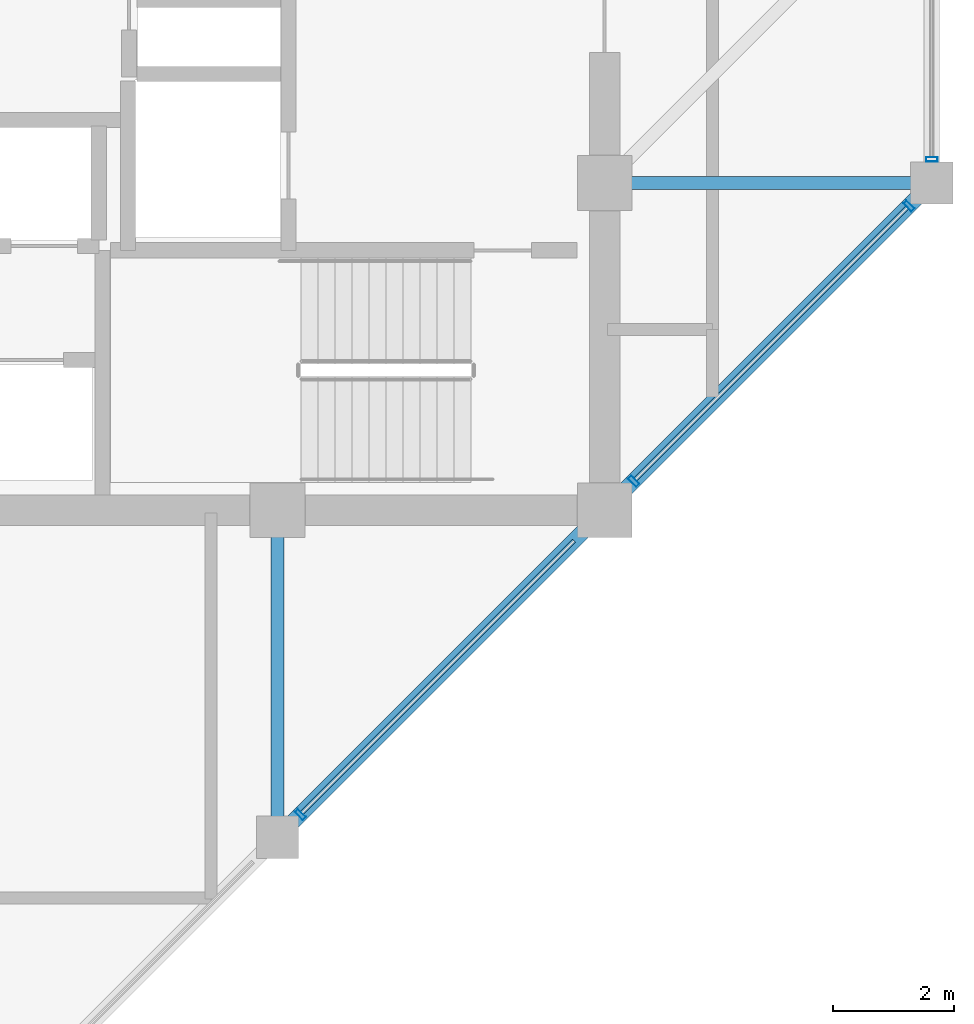
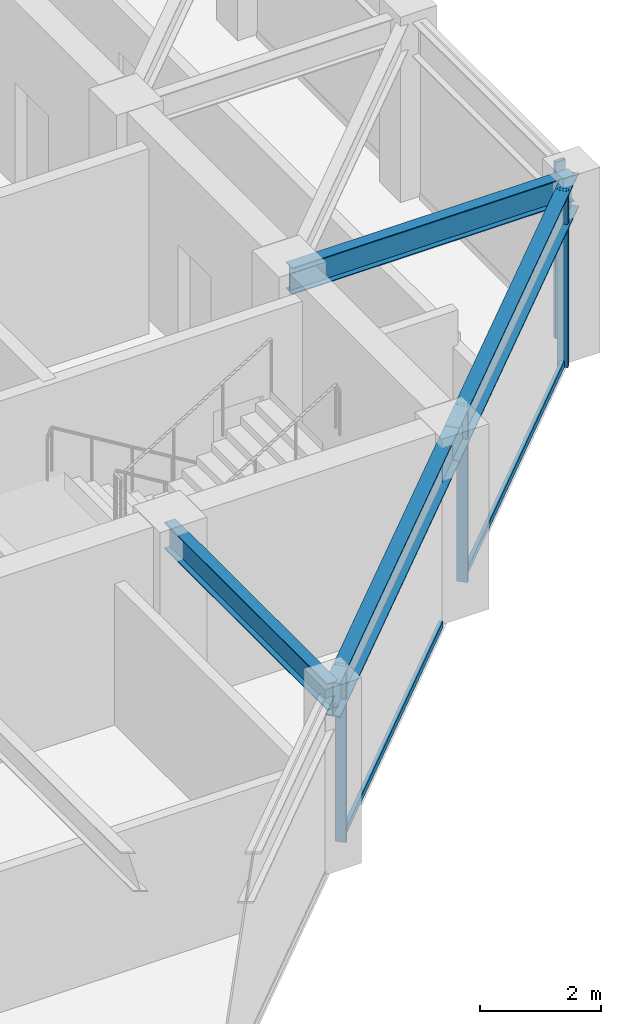
# One storey, part 12 of 30: 6 members, 4 beams, 2 elements without a shape of their own.
"""IFC4 building model written with IfcOpenShell, lengths in metres."""

from ifc_helpers import new_model, si_unit, direction, frame, origin, origin_2d, place, context, subcontext, project, spatial, hollow_rectangle, i_section, extrude, material, layer, layer_set, material_profile, profile_set, type_object, element, aggregate, save


model = new_model("IFC4")

# Units and contexts
model_context = context("Model", 3, precision=1e-05, world=origin(), true_north=direction((0.0, 1.0)))
body_context = subcontext(model_context, "Body", "Model", "MODEL_VIEW")
ifc_project = project(units=[si_unit("LENGTHUNIT", "METRE"), si_unit("AREAUNIT", "SQUARE_METRE"), si_unit("VOLUMEUNIT", "CUBIC_METRE"), si_unit("PLANEANGLEUNIT", "RADIAN"), si_unit("MASSUNIT", "GRAM", prefix="KILO")], contexts=[model_context])

# Site, building, storey
site_placement = place(None, origin())
site = spatial("IfcSite", under=ifc_project, at=site_placement, CompositionType="ELEMENT")
building_placement = place(site_placement, origin())
building = spatial("IfcBuilding", under=site, at=building_placement, Name="Surkhivell Harbour Commons", CompositionType="ELEMENT")
storey_placement = place(building_placement, frame((0.0, 0.0, 292.5)))
storey = spatial("IfcBuildingStorey", under=building, at=storey_placement, Name="L76", CompositionType="ELEMENT", Elevation=292.5)

# Beams
ifc_material_1 = material(Name="Steel S355", Category="steel")
ifc_material_profile_1 = material_profile(ifc_material_1, i_section(OverallWidth=0.2099609375, OverallDepth=0.537109375, WebThickness=0.0107421875, FlangeThickness=0.017333984375, at=origin_2d()), Name="UB533x210x101")
ifc_profile_set_1 = profile_set([ifc_material_profile_1], Name="Steel S355")
beam_type_1 = type_object("IfcBeamType", Name="BM-GRD-533B", PredefinedType="BEAM", material=ifc_profile_set_1)
for number, where, z_axis, x_axis, name in (
    (1, (5.39990234375, -16.199951171875, 3.301513671875), (0.0, 1.0, 0.0), (-1.0, 0.0, 0.0), "L76 Floor Girder (5.4,-16.2)"),
    (2, (10.800048828125, -5.39990234375, 3.301513671875), (1.0, 0.0, 0.0), (0.0, 1.0, 0.0), "L76 Floor Girder (10.8,-5.4)"),
):
    element("IfcBeam", number, at=place(storey_placement, frame(where, z_axis=z_axis, x_axis=x_axis)), inside=storey, type_object=beam_type_1, Name=name, PredefinedType="BEAM", context=body_context, shape_type="SweptSolid", body=[
        extrude(i_section(OverallWidth=0.2099609375, OverallDepth=0.537109375, WebThickness=0.0107421875, FlangeThickness=0.017333984375, at=origin_2d()), origin(), (0.0, 0.0, 1.0), 5.39990234375),
    ])
ifc_material_profile_2 = material_profile(ifc_material_1, i_section(OverallWidth=0.256103515625, OverallDepth=0.693115234375, WebThickness=0.014404296875, FlangeThickness=0.023681640625, at=origin_2d()), Name="UB686x254x170")
ifc_profile_set_2 = profile_set([ifc_material_profile_2], Name="Steel S355")
beam_type_2 = type_object("IfcBeamType", Name="BM-SPN-686", PredefinedType="SPANDREL", material=ifc_profile_set_2)
for number, where, z_axis, x_axis, name in (
    (3, (5.39990234375, -16.199951171875, 3.223388671875), (0.707122765516, 0.707090796496, 0.0), (-0.707090796496, 0.707122765516, 0.0), "L76 Tube Spandrel (5.4,-16.2)"),
    (4, (10.800048828125, -10.800048828125, 3.223388671875), (0.707090796496, 0.707122765516, 0.0), (-0.707122765516, 0.707090796496, 0.0), "L76 Tube Spandrel (10.8,-10.8)"),
):
    element("IfcBeam", number, at=place(storey_placement, frame(where, z_axis=z_axis, x_axis=x_axis)), inside=storey, type_object=beam_type_2, Name=name, PredefinedType="SPANDREL", context=body_context, shape_type="SweptSolid", body=[
        extrude(i_section(OverallWidth=0.256103515625, OverallDepth=0.693115234375, WebThickness=0.014404296875, FlangeThickness=0.023681640625, at=origin_2d()), origin(), (0.0, 0.0, 1.0), 7.63671875),
    ])

# Curtain wall, members
ifc_material_2 = material(Name="Anodised pale-metal aluminium and insulated glazing", Category="aluminium")
ifc_layer = layer(ifc_material_2, 0.175048828125)
ifc_layer_set = layer_set([ifc_layer], Name="Anodised pale-metal aluminium and insulated glazing")
curtain_wall_type = type_object("IfcCurtainWallType", Name="CW-SYS-Z4", PredefinedType="NOTDEFINED", material=ifc_layer_set)
curtain_wall_1_placement = place(storey_placement, origin())
curtain_wall_1 = element("IfcCurtainWall", 5, at=curtain_wall_1_placement, inside=storey, type_object=curtain_wall_type, Name="L76 Curtain Wall CW-L76-E01", PredefinedType="NOTDEFINED")
ifc_material_3 = material(Name="Anodised pale-metal aluminium alloy 6063-T6", Category="aluminium")
ifc_material_profile_3 = material_profile(ifc_material_3, hollow_rectangle(XDim=0.074951171875, YDim=0.18994140625, WallThickness=0.00390625, at=origin_2d()), Name="ALU-MULL-75x190")
ifc_profile_set_3 = profile_set([ifc_material_profile_3], Name="Anodised pale-metal aluminium alloy 6063-T6")
member_type_1 = type_object("IfcMemberType", Name="CWM-190", PredefinedType="MULLION", material=ifc_profile_set_3)
member_1_placement = place(storey_placement, frame((5.778076171875, -15.82177734375, 0.0), z_axis=(0.0, 0.0, 1.0), x_axis=(0.707106781187, 0.707106781187, 0.0)))
member_1 = element("IfcMember", 6, at=member_1_placement, type_object=member_type_1, Name="CW-Z4 mullion 2", PredefinedType="MULLION", context=body_context, shape_type="SweptSolid", body=[
    extrude(hollow_rectangle(XDim=0.074951171875, YDim=0.18994140625, WallThickness=0.00390625, at=origin_2d()), origin(), (0.0, 0.0, 1.0), 3.570068359375),
])
member_2_placement = place(storey_placement, frame((11.278076171875, -10.32177734375, 0.0), z_axis=(0.0, 0.0, 1.0), x_axis=(0.707106781187, 0.707106781187, 0.0)))
member_2 = element("IfcMember", 7, at=member_2_placement, type_object=member_type_1, Name="CW-Z4 mullion 3", PredefinedType="MULLION", context=body_context, shape_type="SweptSolid", body=[
    extrude(hollow_rectangle(XDim=0.074951171875, YDim=0.18994140625, WallThickness=0.00390625, at=origin_2d()), origin(), (0.0, 0.0, 1.0), 3.570068359375),
])
member_3_placement = place(storey_placement, frame((15.82177734375, -5.778076171875, 0.0), z_axis=(0.0, 0.0, 1.0), x_axis=(0.707106781187, 0.707106781187, 0.0)))
member_3 = element("IfcMember", 8, at=member_3_placement, type_object=member_type_1, Name="CW-Z4 mullion 4", PredefinedType="MULLION", context=body_context, shape_type="SweptSolid", body=[
    extrude(hollow_rectangle(XDim=0.074951171875, YDim=0.18994140625, WallThickness=0.00390625, at=origin_2d()), origin(), (0.0, 0.0, 1.0), 3.570068359375),
])

# Curtain wall, member
curtain_wall_2_placement = place(storey_placement, origin())
curtain_wall_2 = element("IfcCurtainWall", 9, at=curtain_wall_2_placement, inside=storey, type_object=curtain_wall_type, Name="L76 Curtain Wall CW-L76-E02", PredefinedType="NOTDEFINED")
member_4_placement = place(storey_placement, frame((16.199951171875, -5.010498046875, 0.0), z_axis=(0.0, 0.0, 1.0), x_axis=(0.0, 1.0, 0.0)))
member_4 = element("IfcMember", 10, at=member_4_placement, type_object=member_type_1, Name="CW-Z4 mullion 1", PredefinedType="MULLION", context=body_context, shape_type="SweptSolid", body=[
    extrude(hollow_rectangle(XDim=0.074951171875, YDim=0.18994140625, WallThickness=0.00390625, at=origin_2d()), origin(), (0.0, 0.0, 1.0), 3.570068359375),
])
aggregate(curtain_wall_2, [member_4])

# Member
ifc_material_4 = material(Name="Champagne anodised aluminium alloy 6063-T6", Category="aluminium")
ifc_material_profile_4 = material_profile(ifc_material_4, hollow_rectangle(XDim=0.070068359375, YDim=0.1298828125, WallThickness=0.00341796875, at=origin_2d()), Name="ALU-TRAN-70x130")
ifc_profile_set_4 = profile_set([ifc_material_profile_4], Name="Champagne anodised aluminium alloy 6063-T6")
member_type_2 = type_object("IfcMemberType", Name="CWT-130", PredefinedType="USERDEFINED", material=ifc_profile_set_4)
member_5_placement = place(storey_placement, frame((5.8046875, -15.79541015625, 0.06494140625), z_axis=(0.707106781187, 0.707106781187, 0.0), x_axis=(-0.707106781187, 0.707106781187, 0.0)))
member_5 = element("IfcMember", 11, at=member_5_placement, type_object=member_type_2, Name="CW-Z4 transom 2.1", ObjectType="TRANSOM", PredefinedType="USERDEFINED", context=body_context, shape_type="SweptSolid", body=[
    extrude(hollow_rectangle(XDim=0.070068359375, YDim=0.1298828125, WallThickness=0.00341796875, at=origin_2d()), origin(), (0.0, 0.0, 1.0), 6.350830078125),
])

member_6_placement = place(storey_placement, frame((11.3046875, -10.29541015625, 0.06494140625), z_axis=(0.707106781187, 0.707106781187, 0.0), x_axis=(-0.707106781187, 0.707106781187, 0.0)))
member_6 = element("IfcMember", 12, at=member_6_placement, type_object=member_type_2, Name="CW-Z4 transom 3.1", ObjectType="TRANSOM", PredefinedType="USERDEFINED", context=body_context, shape_type="SweptSolid", body=[
    extrude(hollow_rectangle(XDim=0.070068359375, YDim=0.1298828125, WallThickness=0.00341796875, at=origin_2d()), origin(), (0.0, 0.0, 1.0), 6.350830078125),
])

aggregate(curtain_wall_1, [member_1, member_5, member_2, member_3, member_6])

save(model, "model.ifc")
